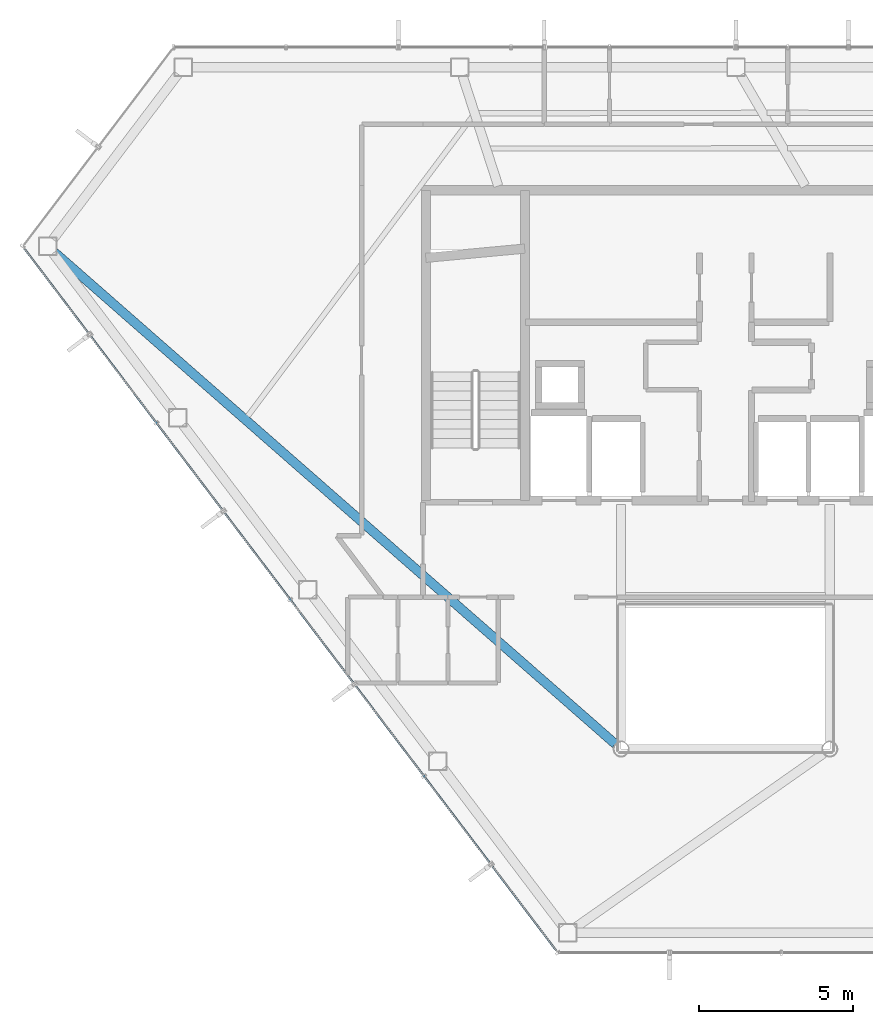
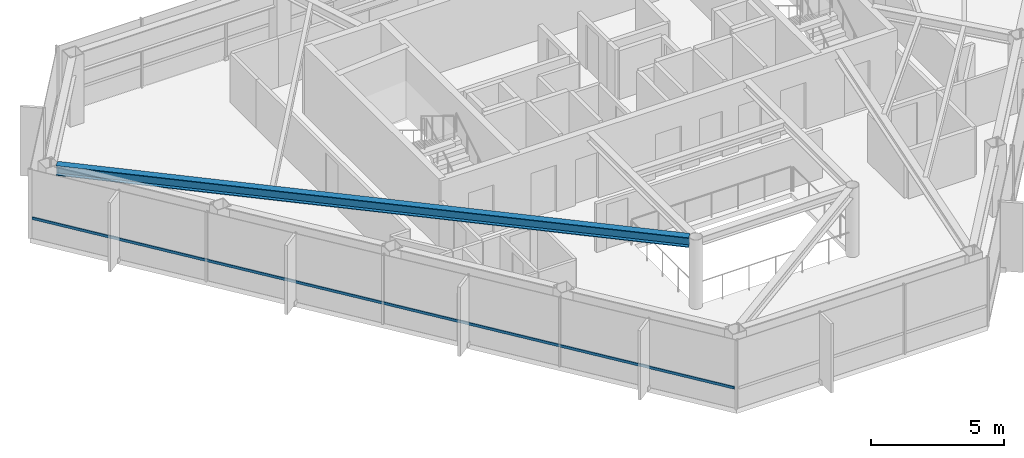
# One storey, part 4 of 25: 1 beam, 1 member, 1 element without a shape of its own.
"""IFC4 building model written with IfcOpenShell, lengths in metres."""

import ifcopenshell
import ifcopenshell.guid

model = None  # the IFC model being written
_history = None  # IfcOwnerHistory: only IFC2X3 demands one
_inside = {}  # id of a spatial element -> (the spatial element, [elements in it])
_under = {}  # id of a project, library or spatial element -> (it, [spatial elements below it])
_declared = {}  # id of a project -> (the project, [libraries it declares])
_typed = {}  # id of a type object -> (the type object, [elements of that type])
_made_of = {}  # id of a material, layer set ... -> (it, [elements and type objects made of it])


def new_model(schema):
    """Start an empty IFC model of exactly this schema.

    Asked for "IFC4X3", IfcOpenShell would pick the latest addendum, in which some entities
    have other attributes; the version numbers below select the first issue.
    IFC2X3 requires an IfcOwnerHistory on every rooted entity: one is made here for all.
    """
    global model, _history
    if schema == "IFC4X3":
        model = ifcopenshell.file(schema_version=(4, 3, 0, 0))
    else:
        model = ifcopenshell.file(schema=schema)
    _inside.clear()
    _under.clear()
    _declared.clear()
    _typed.clear()
    _made_of.clear()
    _history = None
    if model.schema == "IFC2X3":
        org = make("IfcOrganization", Name="unknown")
        user = make(
            "IfcPersonAndOrganization",
            ThePerson=make("IfcPerson", FamilyName="unknown"),
            TheOrganization=org,
        )
        app = make(
            "IfcApplication",
            ApplicationDeveloper=org,
            Version="unknown",
            ApplicationFullName="unknown",
            ApplicationIdentifier="unknown",
        )
        _history = make(
            "IfcOwnerHistory",
            OwningUser=user,
            OwningApplication=app,
            ChangeAction="ADDED",
            CreationDate=0,
        )
    return model


def make(cls, **values):
    """One entity of the class cls with the attributes given. An attribute that is None is left unset."""
    return model.create_entity(
        cls, **{name: value for name, value in values.items() if value is not None}
    )


def rooted(cls, **values):
    """An entity with a GlobalId (a new one), such as an element, a storey or a relation."""
    return make(cls, GlobalId=ifcopenshell.guid.new(), OwnerHistory=_history, **values)


def si_unit(unit_type, name, prefix=None):
    """IfcSIUnit, for example si_unit("LENGTHUNIT", "METRE", prefix="MILLI")."""
    return make("IfcSIUnit", UnitType=unit_type, Prefix=prefix, Name=name)


def assignment(units):
    """IfcUnitAssignment: the units of a project."""
    return None if units is None else make("IfcUnitAssignment", Units=units)


def point(xyz):
    """IfcCartesianPoint."""
    return None if xyz is None else make("IfcCartesianPoint", Coordinates=xyz)


def direction(xyz):
    """IfcDirection."""
    return None if xyz is None else make("IfcDirection", DirectionRatios=xyz)


def frame(location, z_axis=None, x_axis=None):
    """IfcAxis2Placement3D, a coordinate frame: its origin and axes. An axis left out is left unset."""
    return make(
        "IfcAxis2Placement3D",
        Location=point(location),
        Axis=direction(z_axis),
        RefDirection=direction(x_axis),
    )


def frame_2d(location, x_axis=None):
    """IfcAxis2Placement2D, a coordinate frame in the plane: its origin and x axis."""
    return make(
        "IfcAxis2Placement2D", Location=point(location), RefDirection=direction(x_axis)
    )


def origin():
    """The frame at (0, 0, 0) with its axes left unset."""
    return frame((0.0, 0.0, 0.0))


def origin_2d():
    """The frame at (0, 0) in the plane with its x axis left unset."""
    return frame_2d((0.0, 0.0))


def place(relative_to, where):
    """IfcLocalPlacement: puts the frame where relative to a parent placement (None: the world)."""
    return make(
        "IfcLocalPlacement", PlacementRelTo=relative_to, RelativePlacement=where
    )


def context(
    kind, dimensions, precision=None, world=None, true_north=None, identifier=None
):
    """IfcGeometricRepresentationContext, for example the 3D "Model" context."""
    return make(
        "IfcGeometricRepresentationContext",
        ContextIdentifier=identifier,
        ContextType=kind,
        CoordinateSpaceDimension=dimensions,
        Precision=precision,
        WorldCoordinateSystem=world,
        TrueNorth=true_north,
    )


def subcontext(parent, identifier, kind, view, scale=None):
    """IfcGeometricRepresentationSubContext, for example "Body" below "Model"."""
    return make(
        "IfcGeometricRepresentationSubContext",
        ContextIdentifier=identifier,
        ContextType=kind,
        ParentContext=parent,
        TargetScale=scale,
        TargetView=view,
    )


def project(units=None, contexts=None):
    """IfcProject with its units and contexts."""
    return rooted(
        "IfcProject",
        Name="project",
        RepresentationContexts=contexts,
        UnitsInContext=assignment(units),
    )


def spatial(cls, under=None, at=None, **own):
    """A site, building, storey or space (cls), placed at a placement, below another one or the project."""
    s = rooted(cls, ObjectPlacement=at, **own)
    if under is not None:
        _under.setdefault(under.id(), (under, []))[1].append(s)
    return s


def profile(cls, at=None, kind="AREA", **sizes):
    """A parametric profile (cls). Its sizes go by their IFC names, for example OverallWidth=200.0."""
    return make(cls, ProfileType=kind, Position=at, **sizes)


def hollow_rectangle(**sizes):
    """IfcRectangleHollowProfileDef."""
    return profile("IfcRectangleHollowProfileDef", **sizes)


def i_section(**sizes):
    """IfcIShapeProfileDef."""
    return profile("IfcIShapeProfileDef", **sizes)


def extrude(swept, where, along, depth):
    """IfcExtrudedAreaSolid: the profile swept, set in the frame where, extruded along a direction by depth."""
    return make(
        "IfcExtrudedAreaSolid",
        SweptArea=swept,
        Position=where,
        ExtrudedDirection=direction(along),
        Depth=depth,
    )


def shape(context_of_items, identifier, shape_type, items):
    """IfcShapeRepresentation: the items that make up one representation, for example the "Body"."""
    return make(
        "IfcShapeRepresentation",
        ContextOfItems=context_of_items,
        RepresentationIdentifier=identifier,
        RepresentationType=shape_type,
        Items=items,
    )


def material(Name=None, Category=None):
    """IfcMaterial."""
    return make("IfcMaterial", Name=Name, Category=Category)


def layer(
    of_material, thickness, ventilated=None, Name=None, Category=None, Priority=None
):
    """IfcMaterialLayer: one layer of a wall or slab, of a material (None: an air gap)."""
    return make(
        "IfcMaterialLayer",
        Material=of_material,
        LayerThickness=thickness,
        IsVentilated=ventilated,
        Name=Name,
        Category=Category,
        Priority=Priority,
    )


def layer_set(layers, Name=None):
    """IfcMaterialLayerSet."""
    return make("IfcMaterialLayerSet", MaterialLayers=layers, LayerSetName=Name)


def material_profile(
    of_material, cross_section, Name=None, Category=None, Priority=None
):
    """IfcMaterialProfile: a cross section and its material."""
    return make(
        "IfcMaterialProfile",
        Name=Name,
        Material=of_material,
        Profile=cross_section,
        Priority=Priority,
        Category=Category,
    )


def profile_set(profiles, Name=None, composite=None):
    """IfcMaterialProfileSet."""
    return make(
        "IfcMaterialProfileSet",
        Name=Name,
        MaterialProfiles=profiles,
        CompositeProfile=composite,
    )


def made_of(thing, what):
    """Note that an element or type object is made of a material, layer set ...; save() writes the relation."""
    if what is not None:
        _made_of.setdefault(what.id(), (what, []))[1].append(thing)
    return thing


def type_object(cls, material=None, **own):
    """A type object (cls), such as IfcWallType, which elements share."""
    return made_of(rooted(cls, **own), material)


def element(
    cls,
    number,
    at=None,
    inside=None,
    cuts=None,
    type_object=None,
    material=None,
    context=None,
    identifier="Body",
    shape_type=None,
    held_by="IfcProductDefinitionShape",
    body=None,
    shapes=None,
    **own,
):
    """One element of the class cls, such as IfcWall. Its Tag is "e" and its number.

    at: its placement. inside: the storey or other place that contains it. cuts: it is an
    opening in that element (IfcRelVoidsElement). A single representation is given by context,
    identifier, shape_type and body (its items); several are given by shapes. held_by: the class
    of the entity that holds the representations. save() writes the other relations.
    """
    e = rooted(cls, Tag="e%d" % number, ObjectPlacement=at, **own)
    if body is not None:
        shapes = [shape(context, identifier, shape_type, body)]
    if shapes is not None:
        e.Representation = make(held_by, Representations=shapes)
    if inside is not None:
        _inside.setdefault(inside.id(), (inside, []))[1].append(e)
    if cuts is not None:
        rooted(
            "IfcRelVoidsElement", RelatingBuildingElement=cuts, RelatedOpeningElement=e
        )
    if type_object is not None:
        _typed.setdefault(type_object.id(), (type_object, []))[1].append(e)
    return made_of(e, material)


def aggregate(whole, parts):
    """IfcRelAggregates: a whole, such as a stair, and the parts it consists of."""
    return rooted("IfcRelAggregates", RelatingObject=whole, RelatedObjects=parts)


def save(model, path):
    """Write the relations noted so far, then the file.

    IfcRelAggregates (storeys below a building ...), IfcRelContainedInSpatialStructure (elements
    in a storey), IfcRelDefinesByType, IfcRelAssociatesMaterial and IfcRelDeclares: one each for
    every whole, place, type object, material and project.
    """
    for whole, parts in _under.values():
        aggregate(whole, parts)
    for where, things in _inside.values():
        rooted(
            "IfcRelContainedInSpatialStructure",
            RelatedElements=things,
            RelatingStructure=where,
        )
    for kind, things in _typed.values():
        rooted("IfcRelDefinesByType", RelatedObjects=things, RelatingType=kind)
    for what, things in _made_of.values():
        rooted("IfcRelAssociatesMaterial", RelatedObjects=things, RelatingMaterial=what)
    for by, libraries in _declared.values():
        rooted("IfcRelDeclares", RelatingContext=by, RelatedDefinitions=libraries)
    model.write(path)


model = new_model("IFC4")

# Units and contexts
model_context = context("Model", 3, precision=1e-05, world=origin(), true_north=direction((0.0, 1.0)))
body_context = subcontext(model_context, "Body", "Model", "MODEL_VIEW")
ifc_project = project(units=[si_unit("LENGTHUNIT", "METRE"), si_unit("AREAUNIT", "SQUARE_METRE"), si_unit("VOLUMEUNIT", "CUBIC_METRE"), si_unit("PLANEANGLEUNIT", "RADIAN"), si_unit("MASSUNIT", "GRAM", prefix="KILO")], contexts=[model_context])

# Site, building, storey
site_placement = place(None, origin())
site = spatial("IfcSite", under=ifc_project, at=site_placement, CompositionType="ELEMENT")
building_placement = place(site_placement, origin())
building = spatial("IfcBuilding", under=site, at=building_placement, Name="Zarrinselat Tower", CompositionType="ELEMENT")
storey_placement = place(building_placement, frame((0.0, 0.0, 242.760009765625)))
storey = spatial("IfcBuildingStorey", under=building, at=storey_placement, Name="L61", CompositionType="ELEMENT", Elevation=242.760009765625)

# Beam
ifc_material_1 = material(Name="Steel S355J2", Category="steel")
ifc_material_profile_1 = material_profile(ifc_material_1, i_section(OverallWidth=0.300048828125, OverallDepth=0.449951171875, WebThickness=0.013916015625, FlangeThickness=0.02587890625, at=origin_2d()), Name="HEB 450")
ifc_profile_set_1 = profile_set([ifc_material_profile_1], Name="Steel S355J2")
beam_type = type_object("IfcBeamType", Name="BM-HEB450", PredefinedType="BEAM", material=ifc_profile_set_1)
beam_placement = place(storey_placement, frame((16.55029296875, 41.376708984375, 2.955078125), z_axis=(0.751903784059, -0.659272856651, 0.0), x_axis=(0.659272856651, 0.751903784059, 0.0)))
element("IfcBeam", 1, at=beam_placement, inside=storey, type_object=beam_type, Name="L61 Radial Primary Girder RG06", PredefinedType="BEAM", context=body_context, shape_type="SweptSolid", body=[
    extrude(i_section(OverallWidth=0.300048828125, OverallDepth=0.449951171875, WebThickness=0.013916015625, FlangeThickness=0.02587890625, at=origin_2d()), origin(), (0.0, 0.0, 1.0), 24.287353515625),
])

# Curtain wall, member
ifc_material_2 = material(Name="Extruded Aluminium Alloy EN AW-6063 T6", Category="aluminium")
ifc_layer = layer(ifc_material_2, 0.169921875)
ifc_layer_set = layer_set([ifc_layer], Name="Extruded Aluminium Alloy EN AW-6063 T6")
curtain_wall_type = type_object("IfcCurtainWallType", Name="CWS-RES", PredefinedType="NOTDEFINED", material=ifc_layer_set)
curtain_wall_placement = place(storey_placement, origin())
curtain_wall = element("IfcCurtainWall", 2, at=curtain_wall_placement, inside=storey, type_object=curtain_wall_type, Name="L61 Unitised Curtain Wall CW-L61-E03", PredefinedType="NOTDEFINED")
ifc_material_3 = material(Name="Extruded Aluminium Alloy EN AW-6063 T6", Category="aluminium")
ifc_material_profile_2 = material_profile(ifc_material_3, hollow_rectangle(XDim=0.06005859375, YDim=0.1201171875, WallThickness=0.00390625, at=origin_2d()), Name="RHS 120x60x4")
ifc_profile_set_2 = profile_set([ifc_material_profile_2], Name="Extruded Aluminium Alloy EN AW-6063 T6")
member_type = type_object("IfcMemberType", Name="MEM-CW-TRN2", PredefinedType="USERDEFINED", material=ifc_profile_set_2)
member_placement = place(storey_placement, frame((15.56201171875, 41.50390625, 0.949951171875), z_axis=(0.603860964609, -0.797089665861, 0.0), x_axis=(0.797089665861, 0.603860964609, 0.0)))
member = element("IfcMember", 3, at=member_placement, type_object=member_type, Name="CW-L61-E03 Transom 1", ObjectType="TRANSOM", PredefinedType="USERDEFINED", context=body_context, shape_type="SweptSolid", body=[
    extrude(hollow_rectangle(XDim=0.06005859375, YDim=0.1201171875, WallThickness=0.00390625, at=origin_2d()), origin(), (0.0, 0.0, 1.0), 28.691162109375),
])
aggregate(curtain_wall, [member])

save(model, "model.ifc")
